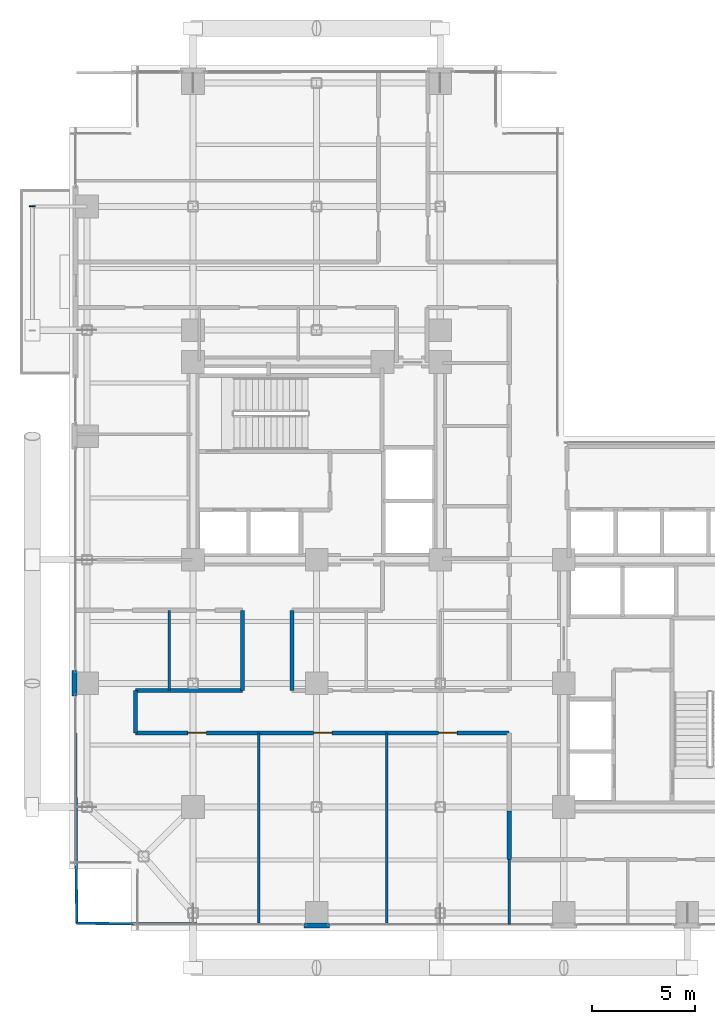
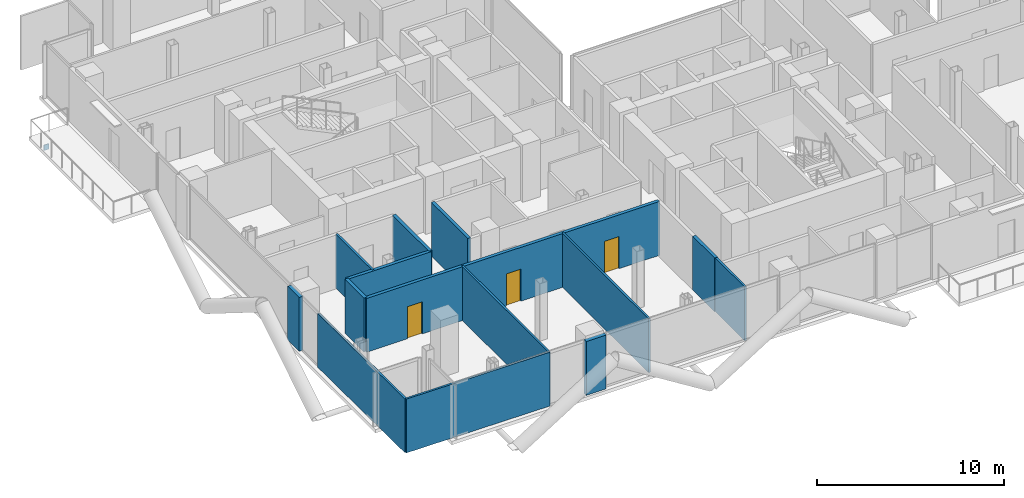
# One storey, part 21 of 28: 14 walls, 3 doors, 1 plate, 3 openings.
"""IFC4 building model written with IfcOpenShell, lengths in metres."""

import ifcopenshell
import ifcopenshell.guid

model = None  # the IFC model being written
_history = None  # IfcOwnerHistory: only IFC2X3 demands one
_inside = {}  # id of a spatial element -> (the spatial element, [elements in it])
_under = {}  # id of a project, library or spatial element -> (it, [spatial elements below it])
_declared = {}  # id of a project -> (the project, [libraries it declares])
_typed = {}  # id of a type object -> (the type object, [elements of that type])
_made_of = {}  # id of a material, layer set ... -> (it, [elements and type objects made of it])


def new_model(schema):
    """Start an empty IFC model of exactly this schema.

    Asked for "IFC4X3", IfcOpenShell would pick the latest addendum, in which some entities
    have other attributes; the version numbers below select the first issue.
    IFC2X3 requires an IfcOwnerHistory on every rooted entity: one is made here for all.
    """
    global model, _history
    if schema == "IFC4X3":
        model = ifcopenshell.file(schema_version=(4, 3, 0, 0))
    else:
        model = ifcopenshell.file(schema=schema)
    _inside.clear()
    _under.clear()
    _declared.clear()
    _typed.clear()
    _made_of.clear()
    _history = None
    if model.schema == "IFC2X3":
        org = make("IfcOrganization", Name="unknown")
        user = make(
            "IfcPersonAndOrganization",
            ThePerson=make("IfcPerson", FamilyName="unknown"),
            TheOrganization=org,
        )
        app = make(
            "IfcApplication",
            ApplicationDeveloper=org,
            Version="unknown",
            ApplicationFullName="unknown",
            ApplicationIdentifier="unknown",
        )
        _history = make(
            "IfcOwnerHistory",
            OwningUser=user,
            OwningApplication=app,
            ChangeAction="ADDED",
            CreationDate=0,
        )
    return model


def make(cls, **values):
    """One entity of the class cls with the attributes given. An attribute that is None is left unset."""
    return model.create_entity(
        cls, **{name: value for name, value in values.items() if value is not None}
    )


def rooted(cls, **values):
    """An entity with a GlobalId (a new one), such as an element, a storey or a relation."""
    return make(cls, GlobalId=ifcopenshell.guid.new(), OwnerHistory=_history, **values)


def si_unit(unit_type, name, prefix=None):
    """IfcSIUnit, for example si_unit("LENGTHUNIT", "METRE", prefix="MILLI")."""
    return make("IfcSIUnit", UnitType=unit_type, Prefix=prefix, Name=name)


def assignment(units):
    """IfcUnitAssignment: the units of a project."""
    return None if units is None else make("IfcUnitAssignment", Units=units)


def point(xyz):
    """IfcCartesianPoint."""
    return None if xyz is None else make("IfcCartesianPoint", Coordinates=xyz)


def direction(xyz):
    """IfcDirection."""
    return None if xyz is None else make("IfcDirection", DirectionRatios=xyz)


def frame(location, z_axis=None, x_axis=None):
    """IfcAxis2Placement3D, a coordinate frame: its origin and axes. An axis left out is left unset."""
    return make(
        "IfcAxis2Placement3D",
        Location=point(location),
        Axis=direction(z_axis),
        RefDirection=direction(x_axis),
    )


def frame_2d(location, x_axis=None):
    """IfcAxis2Placement2D, a coordinate frame in the plane: its origin and x axis."""
    return make(
        "IfcAxis2Placement2D", Location=point(location), RefDirection=direction(x_axis)
    )


def origin():
    """The frame at (0, 0, 0) with its axes left unset."""
    return frame((0.0, 0.0, 0.0))


def origin_2d():
    """The frame at (0, 0) in the plane with its x axis left unset."""
    return frame_2d((0.0, 0.0))


def place(relative_to, where):
    """IfcLocalPlacement: puts the frame where relative to a parent placement (None: the world)."""
    return make(
        "IfcLocalPlacement", PlacementRelTo=relative_to, RelativePlacement=where
    )


def context(
    kind, dimensions, precision=None, world=None, true_north=None, identifier=None
):
    """IfcGeometricRepresentationContext, for example the 3D "Model" context."""
    return make(
        "IfcGeometricRepresentationContext",
        ContextIdentifier=identifier,
        ContextType=kind,
        CoordinateSpaceDimension=dimensions,
        Precision=precision,
        WorldCoordinateSystem=world,
        TrueNorth=true_north,
    )


def subcontext(parent, identifier, kind, view, scale=None):
    """IfcGeometricRepresentationSubContext, for example "Body" below "Model"."""
    return make(
        "IfcGeometricRepresentationSubContext",
        ContextIdentifier=identifier,
        ContextType=kind,
        ParentContext=parent,
        TargetScale=scale,
        TargetView=view,
    )


def project(units=None, contexts=None):
    """IfcProject with its units and contexts."""
    return rooted(
        "IfcProject",
        Name="project",
        RepresentationContexts=contexts,
        UnitsInContext=assignment(units),
    )


def spatial(cls, under=None, at=None, **own):
    """A site, building, storey or space (cls), placed at a placement, below another one or the project."""
    s = rooted(cls, ObjectPlacement=at, **own)
    if under is not None:
        _under.setdefault(under.id(), (under, []))[1].append(s)
    return s


def profile(cls, at=None, kind="AREA", **sizes):
    """A parametric profile (cls). Its sizes go by their IFC names, for example OverallWidth=200.0."""
    return make(cls, ProfileType=kind, Position=at, **sizes)


def rectangle(**sizes):
    """IfcRectangleProfileDef."""
    return profile("IfcRectangleProfileDef", **sizes)


def extrude(swept, where, along, depth):
    """IfcExtrudedAreaSolid: the profile swept, set in the frame where, extruded along a direction by depth."""
    return make(
        "IfcExtrudedAreaSolid",
        SweptArea=swept,
        Position=where,
        ExtrudedDirection=direction(along),
        Depth=depth,
    )


def shape(context_of_items, identifier, shape_type, items):
    """IfcShapeRepresentation: the items that make up one representation, for example the "Body"."""
    return make(
        "IfcShapeRepresentation",
        ContextOfItems=context_of_items,
        RepresentationIdentifier=identifier,
        RepresentationType=shape_type,
        Items=items,
    )


def material(Name=None, Category=None):
    """IfcMaterial."""
    return make("IfcMaterial", Name=Name, Category=Category)


def layer(
    of_material, thickness, ventilated=None, Name=None, Category=None, Priority=None
):
    """IfcMaterialLayer: one layer of a wall or slab, of a material (None: an air gap)."""
    return make(
        "IfcMaterialLayer",
        Material=of_material,
        LayerThickness=thickness,
        IsVentilated=ventilated,
        Name=Name,
        Category=Category,
        Priority=Priority,
    )


def layer_set(layers, Name=None):
    """IfcMaterialLayerSet."""
    return make("IfcMaterialLayerSet", MaterialLayers=layers, LayerSetName=Name)


def made_of(thing, what):
    """Note that an element or type object is made of a material, layer set ...; save() writes the relation."""
    if what is not None:
        _made_of.setdefault(what.id(), (what, []))[1].append(thing)
    return thing


def type_object(cls, material=None, **own):
    """A type object (cls), such as IfcWallType, which elements share."""
    return made_of(rooted(cls, **own), material)


def element(
    cls,
    number,
    at=None,
    inside=None,
    cuts=None,
    type_object=None,
    material=None,
    context=None,
    identifier="Body",
    shape_type=None,
    held_by="IfcProductDefinitionShape",
    body=None,
    shapes=None,
    **own,
):
    """One element of the class cls, such as IfcWall. Its Tag is "e" and its number.

    at: its placement. inside: the storey or other place that contains it. cuts: it is an
    opening in that element (IfcRelVoidsElement). A single representation is given by context,
    identifier, shape_type and body (its items); several are given by shapes. held_by: the class
    of the entity that holds the representations. save() writes the other relations.
    """
    e = rooted(cls, Tag="e%d" % number, ObjectPlacement=at, **own)
    if body is not None:
        shapes = [shape(context, identifier, shape_type, body)]
    if shapes is not None:
        e.Representation = make(held_by, Representations=shapes)
    if inside is not None:
        _inside.setdefault(inside.id(), (inside, []))[1].append(e)
    if cuts is not None:
        rooted(
            "IfcRelVoidsElement", RelatingBuildingElement=cuts, RelatedOpeningElement=e
        )
    if type_object is not None:
        _typed.setdefault(type_object.id(), (type_object, []))[1].append(e)
    return made_of(e, material)


def fill(opening, filler):
    """IfcRelFillsElement: the door or window that sits in an opening."""
    return rooted(
        "IfcRelFillsElement",
        RelatingOpeningElement=opening,
        RelatedBuildingElement=filler,
    )


def aggregate(whole, parts):
    """IfcRelAggregates: a whole, such as a stair, and the parts it consists of."""
    return rooted("IfcRelAggregates", RelatingObject=whole, RelatedObjects=parts)


def save(model, path):
    """Write the relations noted so far, then the file.

    IfcRelAggregates (storeys below a building ...), IfcRelContainedInSpatialStructure (elements
    in a storey), IfcRelDefinesByType, IfcRelAssociatesMaterial and IfcRelDeclares: one each for
    every whole, place, type object, material and project.
    """
    for whole, parts in _under.values():
        aggregate(whole, parts)
    for where, things in _inside.values():
        rooted(
            "IfcRelContainedInSpatialStructure",
            RelatedElements=things,
            RelatingStructure=where,
        )
    for kind, things in _typed.values():
        rooted("IfcRelDefinesByType", RelatedObjects=things, RelatingType=kind)
    for what, things in _made_of.values():
        rooted("IfcRelAssociatesMaterial", RelatedObjects=things, RelatingMaterial=what)
    for by, libraries in _declared.values():
        rooted("IfcRelDeclares", RelatingContext=by, RelatedDefinitions=libraries)
    model.write(path)


model = new_model("IFC4")

# Units and contexts
model_context = context("Model", 3, precision=1e-05, world=origin(), true_north=direction((0.0, 1.0)))
body_context = subcontext(model_context, "Body", "Model", "MODEL_VIEW")
ifc_project = project(units=[si_unit("LENGTHUNIT", "METRE"), si_unit("AREAUNIT", "SQUARE_METRE"), si_unit("VOLUMEUNIT", "CUBIC_METRE"), si_unit("PLANEANGLEUNIT", "RADIAN"), si_unit("MASSUNIT", "GRAM", prefix="KILO"), si_unit("THERMODYNAMICTEMPERATUREUNIT", "KELVIN"), si_unit("POWERUNIT", "WATT")], contexts=[model_context])

# Site, building, storey
site_placement = place(None, origin())
site = spatial("IfcSite", under=ifc_project, at=site_placement, CompositionType="ELEMENT")
building_placement = place(site_placement, origin())
building = spatial("IfcBuilding", under=site, at=building_placement, Name="Svarakhadi Broadcast Tower", CompositionType="ELEMENT")
storey_placement = place(building_placement, frame((0.0, 0.0, 149.39990234375)))
storey = spatial("IfcBuildingStorey", under=building, at=storey_placement, Name="L36", CompositionType="ELEMENT", Elevation=149.39990234375)

# Plate
ifc_material_1 = material(Name="Steel S460ML (IS 2062 E450BR)", Category="steel")
ifc_layer_1 = layer(ifc_material_1, 0.028076171875)
ifc_layer_set_1 = layer_set([ifc_layer_1], Name="Steel S460ML (IS 2062 E450BR)")
plate_type = type_object("IfcPlateType", Name="Cap_Plate_CP02", PredefinedType="USERDEFINED", material=ifc_layer_set_1)
plate_placement = place(storey_placement, frame((-1.800048828125, 35.1650390625, -0.55517578125), z_axis=(0.0, 0.0, 1.0), x_axis=(1.0, 0.0, 0.0)))
element("IfcPlate", 1, at=plate_placement, inside=storey, type_object=plate_type, Name="L36 Balcony Spandrel End Cap Plate 2F-B", ObjectType="FLANGE_PLATE", PredefinedType="USERDEFINED", context=body_context, shape_type="SweptSolid", body=[
    extrude(rectangle(XDim=0.300048828125, YDim=0.0400390625, at=origin_2d()), origin(), (0.0, 0.0, 1.0), 0.360107421875),
])

# Walls
ifc_material_2 = material(Name="Concrete C40/50 (IS 456 M50)", Category="concrete")
ifc_layer_2 = layer(ifc_material_2, 0.239990234375)
ifc_layer_set_2 = layer_set([ifc_layer_2], Name="Concrete C40/50 (IS 456 M50)")
wall_type_1 = type_object("IfcWallType", Name="Wall_Ext_240", PredefinedType="SOLIDWALL", material=ifc_layer_set_2)
for number, where, z_axis, x_axis, name in (
    (2, (0.239990234375, 11.385009765625, 0.0), (0.0, 0.0, 1.0), (0.0, 1.0, 0.0), "L36 Perimeter Bronze Spandrel Closure Wall 01"),
    (3, (12.614990234375, 0.239990234375, 0.0), (0.0, 0.0, 1.0), (-1.0, 0.0, 0.0), "L36 Perimeter Bronze Spandrel Closure Wall 08"),
):
    element("IfcWall", number, at=place(storey_placement, frame(where, z_axis=z_axis, x_axis=x_axis)), inside=storey, type_object=wall_type_1, Name=name, PredefinedType="SOLIDWALL", context=body_context, shape_type="SweptSolid", body=[
        extrude(rectangle(XDim=1.22998046875, YDim=0.239990234375, at=frame_2d((0.614990234375, 0.0))), origin(), (0.0, 0.0, 1.0), 3.525146484375),
    ])
ifc_layer_3 = layer(ifc_material_2, 0.199951171875)
ifc_layer_set_3 = layer_set([ifc_layer_3], Name="Concrete C40/50 (IS 456 M50)")
wall_type_2 = type_object("IfcWallType", Name="Wall_Fire_200", PredefinedType="SOLIDWALL", material=ifc_layer_set_3)
wall_1_placement = place(storey_placement, frame((21.35009765625, 3.449951171875, 0.0), z_axis=(0.0, 0.0, 1.0), x_axis=(0.0, 1.0, 0.0)))
element("IfcWall", 4, at=wall_1_placement, inside=storey, type_object=wall_type_2, Name="L36 Zone 2/3 Corridor Wall", PredefinedType="SOLIDWALL", context=body_context, shape_type="SweptSolid", body=[
    extrude(rectangle(XDim=2.35009765625, YDim=0.199951171875, at=frame_2d((1.175048828125, 0.0))), origin(), (0.0, 0.0, 1.0), 3.525146484375),
])

# Wall, openings, doors
wall_2_placement = place(storey_placement, frame((21.35009765625, 9.60009765625, 0.0), z_axis=(0.0, 0.0, 1.0), x_axis=(-1.0, 0.0, 0.0)))
wall_2 = element("IfcWall", 5, at=wall_2_placement, inside=storey, type_object=wall_type_2, Name="L36 Zone 2/3 Corridor Wall", PredefinedType="SOLIDWALL", context=body_context, shape_type="SweptSolid", body=[
    extrude(rectangle(XDim=18.150146484375, YDim=0.199951171875, at=frame_2d((9.0751953125, 0.0))), origin(), (0.0, 0.0, 1.0), 3.525146484375),
])
opening_1_placement = place(wall_2_placement, frame((14.699951171875, 0.0, 0.0)))
opening_1 = element("IfcOpeningElement", 6, at=opening_1_placement, cuts=wall_2, Name="Opening D-15", PredefinedType="OPENING", context=body_context, shape_type="SweptSolid", body=[
    extrude(rectangle(XDim=0.89990234375, YDim=2.10009765625, at=frame_2d((0.449951171875, 1.050048828125))), frame((0.0, 0.10986328125, 0.0), z_axis=(0.0, -1.0, 0.0), x_axis=(1.0, 0.0, 0.0)), (0.0, 0.0, 1.0), 0.219970703125),
])
opening_2_placement = place(wall_2_placement, frame((8.60009765625, 0.0, 0.0)))
opening_2 = element("IfcOpeningElement", 7, at=opening_2_placement, cuts=wall_2, Name="Opening D-14", PredefinedType="OPENING", context=body_context, shape_type="SweptSolid", body=[
    extrude(rectangle(XDim=0.89990234375, YDim=2.10009765625, at=frame_2d((0.449951171875, 1.050048828125))), frame((0.0, 0.10986328125, 0.0), z_axis=(0.0, -1.0, 0.0), x_axis=(1.0, 0.0, 0.0)), (0.0, 0.0, 1.0), 0.219970703125),
])
opening_3_placement = place(wall_2_placement, frame((2.52490234375, 0.0, 0.0)))
opening_3 = element("IfcOpeningElement", 8, at=opening_3_placement, cuts=wall_2, Name="Opening D-15", PredefinedType="OPENING", context=body_context, shape_type="SweptSolid", body=[
    extrude(rectangle(XDim=0.89990234375, YDim=2.10009765625, at=frame_2d((0.449951171875, 1.050048828125))), frame((0.0, 0.10986328125, 0.0), z_axis=(0.0, -1.0, 0.0), x_axis=(1.0, 0.0, 0.0)), (0.0, 0.0, 1.0), 0.219970703125),
])
ifc_material_3 = material(Name="Solid-Core Teak Veneer Acoustic Timber Leaf", Category="wood")
door_type_1 = type_object("IfcDoorType", Name="Door_Int_D14", OperationType="SINGLE_SWING_LEFT", PredefinedType="DOOR", material=ifc_material_3)
door_1_placement = place(opening_2_placement, origin())
door_1 = element("IfcDoor", 9, at=door_1_placement, inside=storey, type_object=door_type_1, Name="L36 Percussion Isolation Studio Door", OperationType="SINGLE_SWING_LEFT", OverallHeight=2.10009765625, OverallWidth=0.89990234375, PredefinedType="DOOR", context=body_context, shape_type="SweptSolid", body=[
    extrude(rectangle(XDim=0.89990234375, YDim=2.10009765625, at=frame_2d((0.449951171875, 1.050048828125))), frame((0.0, 0.02490234375, 0.0), z_axis=(0.0, -1.0, 0.0), x_axis=(1.0, 0.0, 0.0)), (0.0, 0.0, 1.0), 0.050048828125),
])
fill(opening_2, door_1)
door_type_2 = type_object("IfcDoorType", Name="Door_Int_D15", OperationType="SINGLE_SWING_RIGHT", PredefinedType="DOOR", material=ifc_material_3)
door_2_placement = place(opening_1_placement, origin())
door_2 = element("IfcDoor", 10, at=door_2_placement, inside=storey, type_object=door_type_2, Name="L36 Orchestral Scoring Control Room Door", OperationType="SINGLE_SWING_RIGHT", OverallHeight=2.10009765625, OverallWidth=0.89990234375, PredefinedType="DOOR", context=body_context, shape_type="SweptSolid", body=[
    extrude(rectangle(XDim=0.89990234375, YDim=2.10009765625, at=frame_2d((0.449951171875, 1.050048828125))), frame((0.0, 0.02490234375, 0.0), z_axis=(0.0, -1.0, 0.0), x_axis=(1.0, 0.0, 0.0)), (0.0, 0.0, 1.0), 0.050048828125),
])
fill(opening_1, door_2)
door_3_placement = place(opening_3_placement, origin())
door_3 = element("IfcDoor", 11, at=door_3_placement, inside=storey, type_object=door_type_2, Name="L36 Musicians Green Lounge Door", OperationType="SINGLE_SWING_RIGHT", OverallHeight=2.10009765625, OverallWidth=0.89990234375, PredefinedType="DOOR", context=body_context, shape_type="SweptSolid", body=[
    extrude(rectangle(XDim=0.89990234375, YDim=2.10009765625, at=frame_2d((0.449951171875, 1.050048828125))), frame((0.0, 0.02490234375, 0.0), z_axis=(0.0, -1.0, 0.0), x_axis=(1.0, 0.0, 0.0)), (0.0, 0.0, 1.0), 0.050048828125),
])
fill(opening_3, door_3)

# Walls
wall_3_placement = place(storey_placement, frame((3.199951171875, 9.60009765625, 0.0), z_axis=(0.0, 0.0, 1.0), x_axis=(0.0, 1.0, 0.0)))
element("IfcWall", 12, at=wall_3_placement, inside=storey, type_object=wall_type_2, Name="L36 Zone 2/3 Corridor Wall", PredefinedType="SOLIDWALL", context=body_context, shape_type="SweptSolid", body=[
    extrude(rectangle(XDim=2.0498046875, YDim=0.199951171875, at=frame_2d((1.02490234375, 0.0))), origin(), (0.0, 0.0, 1.0), 3.525146484375),
])
wall_4_placement = place(storey_placement, frame((3.199951171875, 11.64990234375, 0.0), z_axis=(0.0, 0.0, 1.0), x_axis=(1.0, 0.0, 0.0)))
element("IfcWall", 13, at=wall_4_placement, inside=storey, type_object=wall_type_2, Name="L36 Zone 2/3 Corridor Wall", PredefinedType="SOLIDWALL", context=body_context, shape_type="SweptSolid", body=[
    extrude(rectangle(XDim=5.199951171875, YDim=0.199951171875, at=frame_2d((2.60009765625, 0.0))), origin(), (0.0, 0.0, 1.0), 3.525146484375),
])
for number, where, z_axis, x_axis, name in (
    (14, (8.39990234375, 11.64990234375, 0.0), (0.0, 0.0, 1.0), (0.0, 1.0, 0.0), "L36 Zone 2/3 Corridor Wall"),
    (15, (10.800048828125, 15.550048828125, 0.0), (0.0, 0.0, 1.0), (0.0, -1.0, 0.0), "L36 Zone 2/3 Corridor Wall"),
):
    element("IfcWall", number, at=place(storey_placement, frame(where, z_axis=z_axis, x_axis=x_axis)), inside=storey, type_object=wall_type_2, Name=name, PredefinedType="SOLIDWALL", context=body_context, shape_type="SweptSolid", body=[
        extrude(rectangle(XDim=3.900146484375, YDim=0.199951171875, at=frame_2d((1.9501953125, 0.0))), origin(), (0.0, 0.0, 1.0), 3.525146484375),
    ])
ifc_material_4 = material(Name="Fire-Rated Moisture-Resistant Gypsum Board Partition", Category="gypsum")
ifc_layer_4 = layer(ifc_material_4, 0.125)
ifc_layer_set_4 = layer_set([ifc_layer_4], Name="Fire-Rated Moisture-Resistant Gypsum Board Partition")
wall_type_3 = type_object("IfcWallType", Name="Wall_Part_125", PredefinedType="PARTITIONING", material=ifc_layer_set_4)
wall_5_placement = place(storey_placement, frame((21.35009765625, 0.300048828125, 0.0), z_axis=(0.0, 0.0, 1.0), x_axis=(0.0, 1.0, 0.0)))
element("IfcWall", 16, at=wall_5_placement, inside=storey, type_object=wall_type_3, Name="L36 Harbour Front Production Office Wall", PredefinedType="PARTITIONING", context=body_context, shape_type="SweptSolid", body=[
    extrude(rectangle(XDim=3.14990234375, YDim=0.125, at=frame_2d((1.574951171875, 0.0))), origin(), (0.0, 0.0, 1.0), 3.525146484375),
])
wall_6_placement = place(storey_placement, frame((0.35009765625, 0.35009765625, 0.0), z_axis=(0.0, 0.0, 1.0), x_axis=(0.999984009014, -0.005655237989, 0.0)))
element("IfcWall", 17, at=wall_6_placement, inside=storey, type_object=wall_type_3, Name="L36 Orchestral Scoring Control Room Wall", PredefinedType="PARTITIONING", context=body_context, shape_type="SweptSolid", body=[
    extrude(rectangle(XDim=8.85009765625, YDim=0.125, at=frame_2d((4.425048828125, 0.0))), origin(), (0.0, 0.0, 1.0), 3.525146484375),
])
wall_7_placement = place(storey_placement, frame((0.35009765625, 0.35009765625, 0.0), z_axis=(0.0, 0.0, 1.0), x_axis=(-0.005410604923, 0.99998536257, 0.0)))
element("IfcWall", 18, at=wall_7_placement, inside=storey, type_object=wall_type_3, Name="L36 Orchestral Scoring Control Room Wall", PredefinedType="PARTITIONING", context=body_context, shape_type="SweptSolid", body=[
    extrude(rectangle(XDim=9.250244140625, YDim=0.125, at=frame_2d((4.625, 0.0))), origin(), (0.0, 0.0, 1.0), 3.525146484375),
])
for number, where, z_axis, x_axis, name in (
    (19, (9.199951171875, 0.300048828125, 0.0), (0.0, 0.0, 1.0), (0.0, 1.0, 0.0), "L36 Orchestral Scoring Control Room Wall"),
    (20, (15.39990234375, 0.300048828125, 0.0), (0.0, 0.0, 1.0), (0.0, 1.0, 0.0), "L36 Percussion Isolation Studio Wall"),
):
    element("IfcWall", number, at=place(storey_placement, frame(where, z_axis=z_axis, x_axis=x_axis)), inside=storey, type_object=wall_type_3, Name=name, PredefinedType="PARTITIONING", context=body_context, shape_type="SweptSolid", body=[
        extrude(rectangle(XDim=9.300048828125, YDim=0.125, at=frame_2d((4.64990234375, 0.0))), origin(), (0.0, 0.0, 1.0), 3.525146484375),
    ])
wall_8_placement = place(storey_placement, frame((4.85009765625, 11.64990234375, 0.0), z_axis=(0.0, 0.0, 1.0), x_axis=(0.0, 1.0, 0.0)))
element("IfcWall", 21, at=wall_8_placement, inside=storey, type_object=wall_type_3, Name="L36 Vinyl and Atmos Mastering Room Wall", PredefinedType="PARTITIONING", context=body_context, shape_type="SweptSolid", body=[
    extrude(rectangle(XDim=3.900146484375, YDim=0.125, at=frame_2d((1.9501953125, 0.0))), origin(), (0.0, 0.0, 1.0), 3.525146484375),
])

save(model, "model.ifc")
